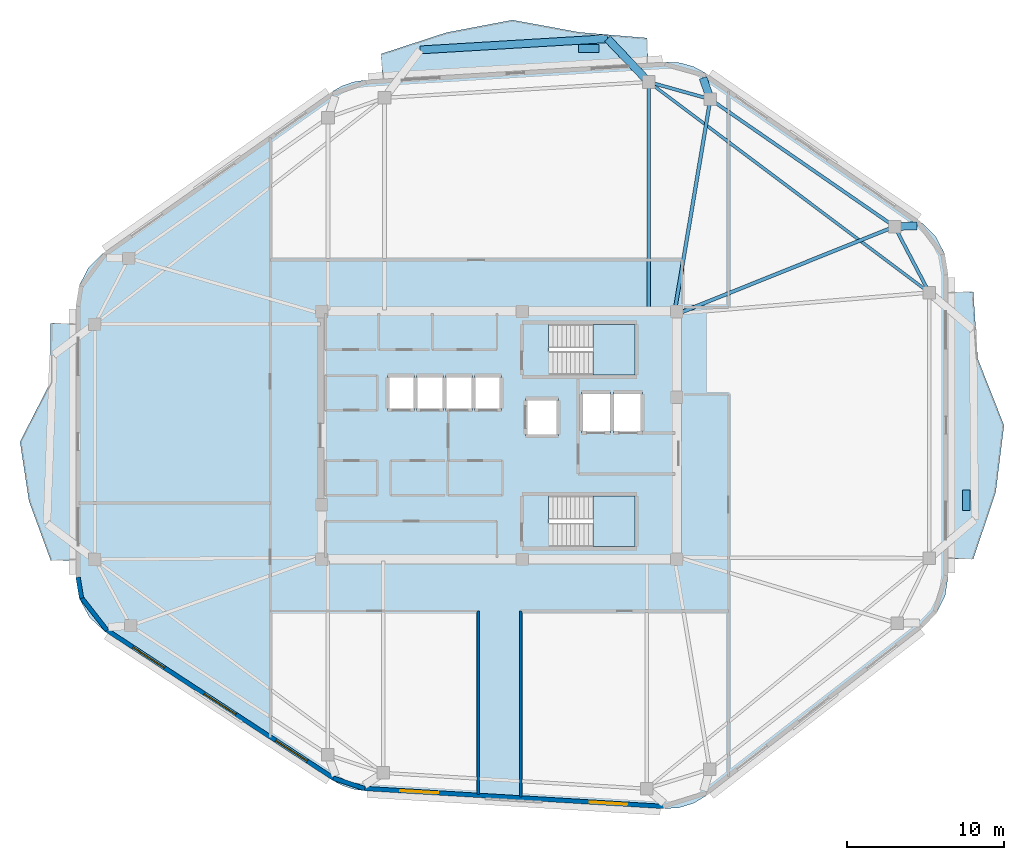
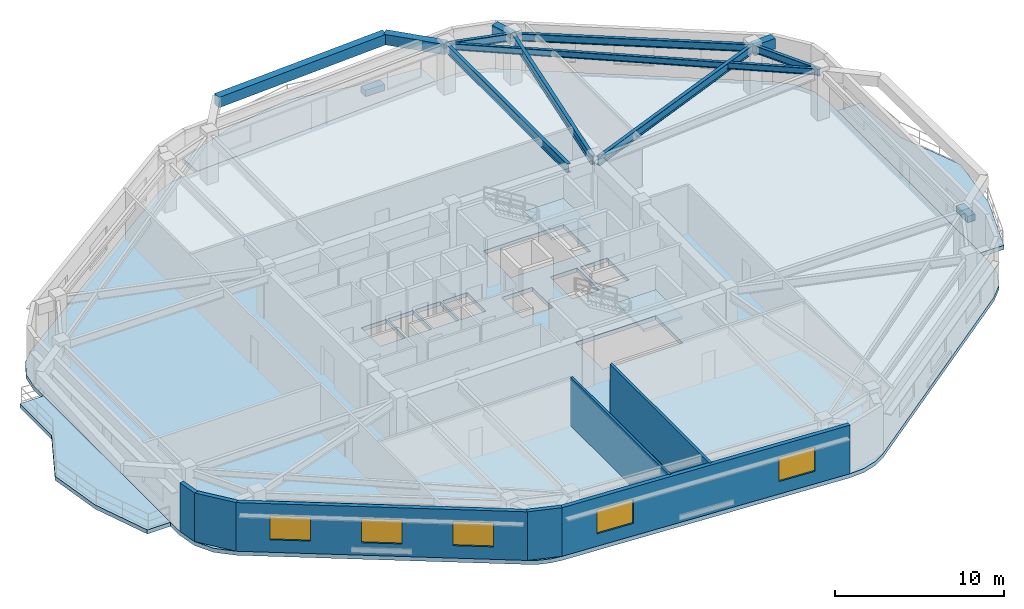
# One storey, part 2 of 9: 11 beams, 7 walls, 6 slabs, 5 windows, 2 plates, 5 openings, 2 elements without a shape of their own.
"""IFC4 building model written with IfcOpenShell, lengths in metres."""

from ifc_helpers import new_model, si_unit, direction, frame, frame_2d, origin, origin_2d, place, context, subcontext, project, spatial, polyline, rectangle, i_section, outline, extrude, material, layer, layer_set, material_profile, profile_set, type_object, element, fill, aggregate, save


model = new_model("IFC4")

# Units and contexts
model_context = context("Model", 3, precision=1e-05, world=origin(), true_north=direction((0.0, 1.0)))
body_context = subcontext(model_context, "Body", "Model", "MODEL_VIEW")
ifc_project = project(units=[si_unit("LENGTHUNIT", "METRE"), si_unit("AREAUNIT", "SQUARE_METRE"), si_unit("VOLUMEUNIT", "CUBIC_METRE"), si_unit("PLANEANGLEUNIT", "RADIAN"), si_unit("MASSUNIT", "GRAM", prefix="KILO")], contexts=[model_context])

# Site, building, storey
site_placement = place(None, origin())
site = spatial("IfcSite", under=ifc_project, at=site_placement, CompositionType="ELEMENT")
building_placement = place(site_placement, origin())
building = spatial("IfcBuilding", under=site, at=building_placement, Name="Zulverin Broadcast Headquarters", CompositionType="ELEMENT")
storey_placement = place(building_placement, frame((0.0, 0.0, 247.800048828125)))
storey = spatial("IfcBuildingStorey", under=building, at=storey_placement, Name="L63", CompositionType="ELEMENT", Elevation=247.800048828125)

# Beams
ifc_material_1 = material(Name="Concrete C40/50", Category="concrete")
ifc_material_profile_1 = material_profile(ifc_material_1, rectangle(XDim=0.5, YDim=0.75, at=origin_2d()), Name="Concrete C40/50", Category="concrete")
ifc_profile_set_1 = profile_set([ifc_material_profile_1], Name="Concrete C40/50")
beam_type_1 = type_object("IfcBeamType", Name="BM-RC-500x750", PredefinedType="BEAM", material=ifc_profile_set_1)
for number, where, z_axis, x_axis, name in (
    (1, (62.102783203125, 38.465087890625, 3.135009765625), (0.99949018153, 0.031927684309, 0.0), (-0.031927684309, 0.99949018153, 0.0), "L64 Plate Overhang Back-Spanned Beam OVR-07"),
    (2, (50.39794921875, 46.554443359375, 3.135009765625), (-0.323542873341, 0.946213511376, 0.0), (-0.946213511376, -0.323542873341, 0.0), "L64 Plate Overhang Back-Spanned Beam OVR-08"),
):
    element("IfcBeam", number, at=place(storey_placement, frame(where, z_axis=z_axis, x_axis=x_axis)), inside=storey, type_object=beam_type_1, Name=name, PredefinedType="BEAM", context=body_context, shape_type="SweptSolid", body=[
        extrude(rectangle(XDim=0.5, YDim=0.75, at=origin_2d()), origin(), (0.0, 0.0, 1.0), 1.429931640625),
    ])
beam_1_placement = place(storey_placement, frame((46.4814453125, 47.6484375, 3.135009765625), z_axis=(-0.689382393643, 0.724397622397, 0.0), x_axis=(-0.724397622397, -0.689382393643, 0.0)))
element("IfcBeam", 3, at=beam_1_placement, inside=storey, type_object=beam_type_1, Name="L64 Balcony Column-Framed Cantilever BAL_N-1", PredefinedType="BEAM", context=body_context, shape_type="SweptSolid", body=[
    extrude(rectangle(XDim=0.5, YDim=0.75, at=origin_2d()), origin(), (0.0, 0.0, 1.0), 3.800048828125),
])
beam_2_placement = place(storey_placement, frame((43.86181640625, 50.401123046875, 3.135009765625), z_axis=(-0.998203619849, -0.059912714185, 0.0), x_axis=(0.059912714185, -0.998203619849, 0.0)))
element("IfcBeam", 4, at=beam_2_placement, inside=storey, type_object=beam_type_1, Name="L64 Balcony Outer Edge Trimmer Beam BAL_N", PredefinedType="BEAM", context=body_context, shape_type="SweptSolid", body=[
    extrude(rectangle(XDim=0.5, YDim=0.75, at=origin_2d()), origin(), (0.0, 0.0, 1.0), 11.9111328125),
])
ifc_material_2 = material(Name="Structural steel S355JR", Category="steel")
ifc_material_profile_2 = material_profile(ifc_material_2, i_section(OverallWidth=0.19287109375, OverallDepth=0.46728515625, WebThickness=0.011474609375, FlangeThickness=0.01953125, at=origin_2d()), Name="Structural steel S355JR", Category="steel")
ifc_profile_set_2 = profile_set([ifc_material_profile_2], Name="Structural steel S355JR")
beam_type_2 = type_object("IfcBeamType", Name="BM-UB-457", PredefinedType="JOIST", material=ifc_profile_set_2)
beam_3_placement = place(storey_placement, frame((64.300048828125, 34.275634765625, 3.2763671875), z_axis=(-0.799809280949, 0.600254207905, 0.0), x_axis=(-0.600254207905, -0.799809280949, 0.0)))
element("IfcBeam", 5, at=beam_3_placement, inside=storey, type_object=beam_type_2, Name="L63 Chordal Floor Joist J-02", PredefinedType="JOIST", context=body_context, shape_type="SweptSolid", body=[
    extrude(i_section(OverallWidth=0.19287109375, OverallDepth=0.46728515625, WebThickness=0.011474609375, FlangeThickness=0.01953125, at=origin_2d()), origin(), (0.0, 0.0, 1.0), 22.278564453125),
])
ifc_material_profile_3 = material_profile(ifc_material_2, i_section(OverallWidth=0.2119140625, OverallDepth=0.54443359375, WebThickness=0.0126953125, FlangeThickness=0.021240234375, at=origin_2d()), Name="Structural steel S355JR", Category="steel")
ifc_profile_set_3 = profile_set([ifc_material_profile_3], Name="Structural steel S355JR")
beam_type_3 = type_object("IfcBeamType", Name="BM-UB-533", PredefinedType="SPANDREL", material=ifc_profile_set_3)
beam_4_placement = place(storey_placement, frame((64.300048828125, 34.275634765625, 3.237548828125), z_axis=(-0.464469748171, 0.885588986513, 0.0), x_axis=(-0.885588986513, -0.464469748171, 0.0)))
element("IfcBeam", 6, at=beam_4_placement, inside=storey, type_object=beam_type_3, Name="L63 Perimeter Spandrel Beam SP-06", PredefinedType="SPANDREL", context=body_context, shape_type="SweptSolid", body=[
    extrude(i_section(OverallWidth=0.2119140625, OverallDepth=0.54443359375, WebThickness=0.0126953125, FlangeThickness=0.021240234375, at=origin_2d()), origin(), (0.0, 0.0, 1.0), 4.730712890625),
])
beam_5_placement = place(storey_placement, frame((62.102783203125, 38.465087890625, 3.237548828125), z_axis=(-0.822652126292, 0.568545054597, 0.0), x_axis=(-0.568545054597, -0.822652126292, 0.0)))
element("IfcBeam", 7, at=beam_5_placement, inside=storey, type_object=beam_type_3, Name="L63 Perimeter Spandrel Beam SP-07", PredefinedType="SPANDREL", context=body_context, shape_type="SweptSolid", body=[
    extrude(i_section(OverallWidth=0.2119140625, OverallDepth=0.54443359375, WebThickness=0.0126953125, FlangeThickness=0.021240234375, at=origin_2d()), origin(), (0.0, 0.0, 1.0), 14.228271484375),
])
beam_6_placement = place(storey_placement, frame((50.39794921875, 46.554443359375, 3.237548828125), z_axis=(-0.963131566005, 0.26903082828, 0.0), x_axis=(-0.26903082828, -0.963131566005, 0.0)))
element("IfcBeam", 8, at=beam_6_placement, inside=storey, type_object=beam_type_3, Name="L63 Perimeter Spandrel Beam SP-08", PredefinedType="SPANDREL", context=body_context, shape_type="SweptSolid", body=[
    extrude(i_section(OverallWidth=0.2119140625, OverallDepth=0.54443359375, WebThickness=0.0126953125, FlangeThickness=0.021240234375, at=origin_2d()), origin(), (0.0, 0.0, 1.0), 4.06640625),
])
ifc_material_profile_4 = material_profile(ifc_material_2, i_section(OverallWidth=0.230224609375, OverallDepth=0.6171875, WebThickness=0.01318359375, FlangeThickness=0.022216796875, at=origin_2d()), Name="Structural steel S355JR", Category="steel")
ifc_profile_set_4 = profile_set([ifc_material_profile_4], Name="Structural steel S355JR")
beam_type_4 = type_object("IfcBeamType", Name="BM-UB-610", PredefinedType="BEAM", material=ifc_profile_set_4)
beam_7_placement = place(storey_placement, frame((48.375, 32.949951171875, 3.201416015625), z_axis=(0.927915690744, 0.37279011638, 0.0), x_axis=(-0.37279011638, 0.927915690744, 0.0)))
element("IfcBeam", 9, at=beam_7_placement, inside=storey, type_object=beam_type_4, Name="L63 Radial Primary Floor Beam RB-07", PredefinedType="BEAM", context=body_context, shape_type="SweptSolid", body=[
    extrude(i_section(OverallWidth=0.230224609375, OverallDepth=0.6171875, WebThickness=0.01318359375, FlangeThickness=0.022216796875, at=origin_2d()), origin(), (0.0, 0.0, 1.0), 14.794189453125),
])
beam_8_placement = place(storey_placement, frame((48.14990234375, 33.175048828125, 3.201416015625), z_axis=(0.165700339104, 0.986176149388, 0.0), x_axis=(-0.986176149388, 0.165700339104, 0.0)))
element("IfcBeam", 10, at=beam_8_placement, inside=storey, type_object=beam_type_4, Name="L63 Radial Primary Floor Beam RB-08", PredefinedType="BEAM", context=body_context, shape_type="SweptSolid", body=[
    extrude(i_section(OverallWidth=0.230224609375, OverallDepth=0.6171875, WebThickness=0.01318359375, FlangeThickness=0.022216796875, at=origin_2d()), origin(), (0.0, 0.0, 1.0), 13.56689453125),
])
beam_9_placement = place(storey_placement, frame((46.4814453125, 33.175048828125, 3.201416015625), z_axis=(0.0, 1.0, 0.0), x_axis=(-1.0, 0.0, 0.0)))
element("IfcBeam", 11, at=beam_9_placement, inside=storey, type_object=beam_type_4, Name="L63 Radial Primary Floor Beam RB-09", PredefinedType="BEAM", context=body_context, shape_type="SweptSolid", body=[
    extrude(i_section(OverallWidth=0.230224609375, OverallDepth=0.6171875, WebThickness=0.01318359375, FlangeThickness=0.022216796875, at=origin_2d()), origin(), (0.0, 0.0, 1.0), 14.473388671875),
])

# Plates
ifc_material_3 = material(Name="Precast concrete C45/55", Category="concrete")
ifc_layer_1 = layer(ifc_material_3, 0.449951171875, Name="Precast concrete C45/55", Category="concrete")
ifc_layer_set_1 = layer_set([ifc_layer_1], Name="Precast concrete C45/55")
plate_type = type_object("IfcPlateType", Name="PT-01_PRECAST_GFRC_TREE_PLANTER", PredefinedType="USERDEFINED", material=ifc_layer_set_1)
for number, where, z_axis, x_axis, name in (
    (12, (66.64990234375, 21.0908203125, -0.0048828125), (0.0, 0.0, 1.0), (0.0, 1.0, 0.0), "L63 Precast GFRC Tree Planter BAL_E"),
    (13, (42.6767578125, 49.7744140625, -0.0048828125), (0.0, 0.0, 1.0), (1.0, 0.0, 0.0), "L63 Precast GFRC Tree Planter BAL_N"),
):
    element("IfcPlate", number, at=place(storey_placement, frame(where, z_axis=z_axis, x_axis=x_axis)), inside=storey, type_object=plate_type, Name=name, ObjectType="PLANTER", PredefinedType="USERDEFINED", context=body_context, shape_type="SweptSolid", body=[
        extrude(rectangle(XDim=1.300048828125, YDim=0.5, at=origin_2d()), origin(), (0.0, 0.0, 1.0), 0.449951171875),
    ])

# Slabs
ifc_layer_2 = layer(ifc_material_1, 0.2900390625, Name="Concrete C40/50", Category="concrete")
ifc_layer_set_2 = layer_set([ifc_layer_2], Name="Concrete C40/50")
slab_type_1 = type_object("IfcSlabType", Name="SLB-BAL-290", PredefinedType="FLOOR", material=ifc_layer_set_2)
slab_1_placement = place(storey_placement, frame((0.0, 0.0, -0.2900390625)))
element("IfcSlab", 14, at=slab_1_placement, inside=storey, type_object=slab_type_1, Name="L63 Cantilevered Planted Balcony Slab BAL_E", PredefinedType="FLOOR", context=body_context, shape_type="SweptSolid", body=[
    extrude(outline(polyline([(65.5, 34.32568359375), (65.5, 17.357666015625), (67.10009765625, 17.357666015625), (68.52392578125, 21.599609375), (69.050048828125, 25.841796875), (67.37744140625, 30.083740234375), (67.10009765625, 34.32568359375), (65.5, 34.32568359375)])), origin(), (0.0, 0.0, 1.0), 0.2900390625),
])
slab_2_placement = place(storey_placement, frame((0.0, 0.0, -0.2900390625)))
element("IfcSlab", 15, at=slab_2_placement, inside=storey, type_object=slab_type_1, Name="L63 Cantilevered Planted Balcony Slab BAL_N", PredefinedType="FLOOR", context=body_context, shape_type="SweptSolid", body=[
    extrude(outline(polyline([(29.5791015625, 47.835693359375), (46.45947265625, 48.849365234375), (46.363525390625, 50.4462890625), (42.106689453125, 50.804443359375), (37.824462890625, 51.58740234375), (33.636962890625, 50.789794921875), (29.483154296875, 49.43310546875), (29.5791015625, 47.835693359375)])), origin(), (0.0, 0.0, 1.0), 0.2900390625),
])
slab_3_placement = place(storey_placement, frame((0.0, 0.0, -0.2900390625)))
element("IfcSlab", 16, at=slab_3_placement, inside=storey, type_object=slab_type_1, Name="L63 Cantilevered Planted Balcony Slab BAL_W", PredefinedType="FLOOR", context=body_context, shape_type="SweptSolid", body=[
    extrude(outline(polyline([(10.10009765625, 17.2685546875), (10.10009765625, 32.3251953125), (8.5, 32.3251953125), (8.48193359375, 28.56103515625), (6.550048828125, 24.797119140625), (7.119384765625, 21.03271484375), (8.5, 17.2685546875), (10.10009765625, 17.2685546875)])), origin(), (0.0, 0.0, 1.0), 0.2900390625),
])

# Stair, slab
stair_type = type_object("IfcStairType", Name="ST-CORE-1500", PredefinedType="HALF_TURN_STAIR", material=ifc_material_1)
stair_1_placement = place(storey_placement, origin())
stair_1 = element("IfcStair", 17, at=stair_1_placement, inside=storey, type_object=stair_type, Name="L63 Core Exit Stair ST-1", PredefinedType="HALF_TURN_STAIR")
ifc_layer_3 = layer(ifc_material_1, 0.199951171875, Name="Concrete C40/50", Category="concrete")
ifc_layer_set_3 = layer_set([ifc_layer_3], Name="Concrete C40/50")
slab_type_2 = type_object("IfcSlabType", Name="SLB-ST-LND200", PredefinedType="LANDING", material=ifc_layer_set_3)
slab_4_placement = place(storey_placement, frame((0.0, 0.0, 1.699951171875)))
slab_4 = element("IfcSlab", 18, at=slab_4_placement, type_object=slab_type_2, Name="ST-1 landing 1", PredefinedType="LANDING", context=body_context, shape_type="SweptSolid", body=[
    extrude(outline(polyline([(42.929931640625, 29.050048828125), (45.60009765625, 29.050048828125), (45.60009765625, 32.25), (42.929931640625, 32.25), (42.929931640625, 29.050048828125)])), origin(), (0.0, 0.0, 1.0), 0.199951171875),
])
aggregate(stair_1, [slab_4])

stair_2_placement = place(storey_placement, origin())
stair_2 = element("IfcStair", 19, at=stair_2_placement, inside=storey, type_object=stair_type, Name="L63 Core Exit Stair ST-2", PredefinedType="HALF_TURN_STAIR")
slab_5_placement = place(storey_placement, frame((0.0, 0.0, 1.699951171875)))
slab_5 = element("IfcSlab", 20, at=slab_5_placement, type_object=slab_type_2, Name="ST-2 landing 1", PredefinedType="LANDING", context=body_context, shape_type="SweptSolid", body=[
    extrude(outline(polyline([(42.929931640625, 18.14990234375), (45.60009765625, 18.14990234375), (45.60009765625, 21.35009765625), (42.929931640625, 21.35009765625), (42.929931640625, 18.14990234375)])), origin(), (0.0, 0.0, 1.0), 0.199951171875),
])
aggregate(stair_2, [slab_5])

# Slab
ifc_layer_4 = layer(ifc_material_1, 0.2900390625, Name="Concrete C40/50", Category="concrete")
ifc_layer_set_4 = layer_set([ifc_layer_4], Name="Concrete C40/50")
slab_type_3 = type_object("IfcSlabType", Name="SLB-TWR-290", PredefinedType="FLOOR", material=ifc_layer_set_4)
slab_6_placement = place(storey_placement, frame((0.0, 0.0, -0.2900390625)))
element("IfcSlab", 21, at=slab_6_placement, inside=storey, type_object=slab_type_3, Name="L63 Main Structural Floor Slab", PredefinedType="FLOOR", context=body_context, shape_type="SweptSolid", body=[
    extrude(outline(polyline([(26.405029296875, 3.295166015625), (27.029296875, 2.96044921875), (27.70166015625, 2.738037109375), (28.402099609375, 2.634765625), (47.427490234375, 1.49267578125), (48.40869140625, 1.5517578125), (49.347412109375, 1.842529296875), (50.18994140625, 2.348388671875), (63.91650390625, 13.02099609375), (64.7685546875, 13.92041015625), (65.312744140625, 15.033203125), (65.5, 16.2578125), (65.5, 35.42578125), (65.289306640625, 36.723388671875), (64.6787109375, 37.887451171875), (63.73095703125, 38.798583984375), (50.13427734375, 48.1953125), (49.3359375, 48.625244140625), (48.462890625, 48.869140625), (47.557373046875, 48.915283203125), (28.48095703125, 47.77001953125), (27.73291015625, 47.655029296875), (27.0185546875, 47.404541015625), (26.362548828125, 47.027099609375), (11.8359375, 36.775146484375), (10.9052734375, 35.865478515625), (10.306396484375, 34.710205078125), (10.10009765625, 33.42529296875), (10.10009765625, 16.168701171875), (10.322021484375, 14.83740234375), (10.96435546875, 13.650390625), (11.957275390625, 12.736328125), (26.405029296875, 3.295166015625)]), holes=[polyline([(40.155029296875, 30.75), (40.130126953125, 30.75), (40.130126953125, 32.25), (45.60009765625, 32.25), (45.60009765625, 29.050048828125), (40.155029296875, 29.050048828125), (40.155029296875, 30.75)]), polyline([(40.155029296875, 19.85009765625), (40.130126953125, 19.85009765625), (40.130126953125, 21.35009765625), (45.60009765625, 21.35009765625), (45.60009765625, 18.14990234375), (40.155029296875, 18.14990234375), (40.155029296875, 19.85009765625)]), polyline([(29.89990234375, 26.800048828125), (31.6201171875, 26.800048828125), (31.6201171875, 29.0), (29.89990234375, 29.0), (29.89990234375, 26.800048828125)]), polyline([(31.739990234375, 26.800048828125), (33.4599609375, 26.800048828125), (33.4599609375, 29.0), (31.739990234375, 29.0), (31.739990234375, 26.800048828125)]), polyline([(33.580078125, 26.800048828125), (35.300048828125, 26.800048828125), (35.300048828125, 29.0), (33.580078125, 29.0), (33.580078125, 26.800048828125)]), polyline([(35.419921875, 26.800048828125), (37.139892578125, 26.800048828125), (37.139892578125, 29.0), (35.419921875, 29.0), (35.419921875, 26.800048828125)]), polyline([(42.199951171875, 25.35009765625), (44.050048828125, 25.35009765625), (44.050048828125, 27.949951171875), (42.199951171875, 27.949951171875), (42.199951171875, 25.35009765625)]), polyline([(44.25, 25.35009765625), (46.10009765625, 25.35009765625), (46.10009765625, 27.949951171875), (44.25, 27.949951171875), (44.25, 25.35009765625)]), polyline([(38.64990234375, 25.14990234375), (40.75, 25.14990234375), (40.75, 27.550048828125), (38.64990234375, 27.550048828125), (38.64990234375, 25.14990234375)])]), origin(), (0.0, 0.0, 1.0), 0.2900390625),
])

# Wall, openings, windows
ifc_material_4 = material(Name="Insulated pale-metal clad concrete spandrel C40/50", Category="concrete")
ifc_layer_5 = layer(ifc_material_4, 0.280029296875, Name="Insulated pale-metal clad concrete spandrel C40/50", Category="concrete")
ifc_layer_set_5 = layer_set([ifc_layer_5], Name="Insulated pale-metal clad concrete spandrel C40/50")
wall_type_1 = type_object("IfcWallType", Name="WL-EXT-280", PredefinedType="STANDARD", material=ifc_layer_set_5)
wall_1_placement = place(storey_placement, frame((28.41064453125, 2.7744140625, 0.0), z_axis=(0.0, 0.0, 1.0), x_axis=(0.998203068368, -0.059921901676, 0.0)))
wall_1 = element("IfcWall", 22, at=wall_1_placement, inside=storey, type_object=wall_type_1, Name="L63 Pale-Metal Clad Spandrel Wall 1", PredefinedType="STANDARD", context=body_context, shape_type="SweptSolid", body=[
    extrude(rectangle(XDim=19.0595703125, YDim=0.280029296875, at=frame_2d((9.52978515625, 0.0))), origin(), (0.0, 0.0, 1.0), 3.510009765625),
])
opening_1_placement = place(wall_1_placement, frame((2.309814453125, 0.0, 0.89990234375)))
opening_1 = element("IfcOpeningElement", 23, at=opening_1_placement, cuts=wall_1, Name="Opening W-L63-E11", PredefinedType="OPENING", context=body_context, shape_type="SweptSolid", body=[
    extrude(rectangle(XDim=2.39990234375, YDim=1.75, at=frame_2d((1.199951171875, 0.875))), frame((0.0, 0.14990234375, 0.0), z_axis=(0.0, -1.0, 0.0), x_axis=(1.0, 0.0, 0.0)), (0.0, 0.0, 1.0), 0.300048828125),
])
opening_2_placement = place(wall_1_placement, frame((14.349609375, 0.0, 0.89990234375)))
opening_2 = element("IfcOpeningElement", 24, at=opening_2_placement, cuts=wall_1, Name="Opening W-L63-E12", PredefinedType="OPENING", context=body_context, shape_type="SweptSolid", body=[
    extrude(rectangle(XDim=2.39990234375, YDim=1.75, at=frame_2d((1.199951171875, 0.875))), frame((0.0, 0.14990234375, 0.0), z_axis=(0.0, -1.0, 0.0), x_axis=(1.0, 0.0, 0.0)), (0.0, 0.0, 1.0), 0.300048828125),
])
ifc_material_5 = material(Name="Pale anodized aluminium frame with solar-control low-E double glazing", Category="aluminium")
window_type = type_object("IfcWindowType", Name="WIN-RIB-2400", PartitioningType="SINGLE_PANEL", PredefinedType="WINDOW", material=ifc_material_5)
window_1_placement = place(opening_1_placement, origin())
window_1 = element("IfcWindow", 25, at=window_1_placement, inside=storey, type_object=window_type, Name="L63 Ribbon Glazing Window 1 1", OverallHeight=1.75, OverallWidth=2.39990234375, PartitioningType="SINGLE_PANEL", PredefinedType="WINDOW", context=body_context, shape_type="SweptSolid", body=[
    extrude(rectangle(XDim=2.39990234375, YDim=1.75, at=frame_2d((1.199951171875, 0.875))), frame((0.0, 0.030029296875, 0.0), z_axis=(0.0, -1.0, 0.0), x_axis=(1.0, 0.0, 0.0)), (0.0, 0.0, 1.0), 0.06005859375),
])
fill(opening_1, window_1)
window_2_placement = place(opening_2_placement, origin())
window_2 = element("IfcWindow", 26, at=window_2_placement, inside=storey, type_object=window_type, Name="L63 Ribbon Glazing Window 1 2", OverallHeight=1.75, OverallWidth=2.39990234375, PartitioningType="SINGLE_PANEL", PredefinedType="WINDOW", context=body_context, shape_type="SweptSolid", body=[
    extrude(rectangle(XDim=2.39990234375, YDim=1.75, at=frame_2d((1.199951171875, 0.875))), frame((0.0, 0.030029296875, 0.0), z_axis=(0.0, -1.0, 0.0), x_axis=(1.0, 0.0, 0.0)), (0.0, 0.0, 1.0), 0.06005859375),
])
fill(opening_2, window_2)

wall_2_placement = place(storey_placement, frame((12.03369140625, 12.853515625, 0.0), z_axis=(0.0, 0.0, 1.0), x_axis=(0.837118352984, -0.547021812269, 0.0)))
wall_2 = element("IfcWall", 27, at=wall_2_placement, inside=storey, type_object=wall_type_1, Name="L63 Pale-Metal Clad Spandrel Wall 8", PredefinedType="STANDARD", context=body_context, shape_type="SweptSolid", body=[
    extrude(rectangle(XDim=17.25927734375, YDim=0.280029296875, at=frame_2d((8.629638671875, 0.0))), origin(), (0.0, 0.0, 1.0), 3.510009765625),
])
opening_3_placement = place(wall_2_placement, frame((2.010009765625, 0.0, 0.89990234375)))
opening_3 = element("IfcOpeningElement", 28, at=opening_3_placement, cuts=wall_2, Name="Opening W-L63-E81", PredefinedType="OPENING", context=body_context, shape_type="SweptSolid", body=[
    extrude(rectangle(XDim=2.39990234375, YDim=1.75, at=frame_2d((1.199951171875, 0.875))), frame((0.0, 0.14990234375, 0.0), z_axis=(0.0, -1.0, 0.0), x_axis=(1.0, 0.0, 0.0)), (0.0, 0.0, 1.0), 0.300048828125),
])
opening_4_placement = place(wall_2_placement, frame((7.4296875, 0.0, 0.89990234375)))
opening_4 = element("IfcOpeningElement", 29, at=opening_4_placement, cuts=wall_2, Name="Opening W-L63-E82", PredefinedType="OPENING", context=body_context, shape_type="SweptSolid", body=[
    extrude(rectangle(XDim=2.39990234375, YDim=1.75, at=frame_2d((1.199951171875, 0.875))), frame((0.0, 0.14990234375, 0.0), z_axis=(0.0, -1.0, 0.0), x_axis=(1.0, 0.0, 0.0)), (0.0, 0.0, 1.0), 0.300048828125),
])
opening_5_placement = place(wall_2_placement, frame((12.849365234375, 0.0, 0.89990234375)))
opening_5 = element("IfcOpeningElement", 30, at=opening_5_placement, cuts=wall_2, Name="Opening W-L63-E83", PredefinedType="OPENING", context=body_context, shape_type="SweptSolid", body=[
    extrude(rectangle(XDim=2.39990234375, YDim=1.75, at=frame_2d((1.199951171875, 0.875))), frame((0.0, 0.14990234375, 0.0), z_axis=(0.0, -1.0, 0.0), x_axis=(1.0, 0.0, 0.0)), (0.0, 0.0, 1.0), 0.300048828125),
])
window_3_placement = place(opening_3_placement, origin())
window_3 = element("IfcWindow", 31, at=window_3_placement, inside=storey, type_object=window_type, Name="L63 Ribbon Glazing Window 8 1", OverallHeight=1.75, OverallWidth=2.39990234375, PartitioningType="SINGLE_PANEL", PredefinedType="WINDOW", context=body_context, shape_type="SweptSolid", body=[
    extrude(rectangle(XDim=2.39990234375, YDim=1.75, at=frame_2d((1.199951171875, 0.875))), frame((0.0, 0.030029296875, 0.0), z_axis=(0.0, -1.0, 0.0), x_axis=(1.0, 0.0, 0.0)), (0.0, 0.0, 1.0), 0.06005859375),
])
fill(opening_3, window_3)
window_4_placement = place(opening_4_placement, origin())
window_4 = element("IfcWindow", 32, at=window_4_placement, inside=storey, type_object=window_type, Name="L63 Ribbon Glazing Window 8 2", OverallHeight=1.75, OverallWidth=2.39990234375, PartitioningType="SINGLE_PANEL", PredefinedType="WINDOW", context=body_context, shape_type="SweptSolid", body=[
    extrude(rectangle(XDim=2.39990234375, YDim=1.75, at=frame_2d((1.199951171875, 0.875))), frame((0.0, 0.030029296875, 0.0), z_axis=(0.0, -1.0, 0.0), x_axis=(1.0, 0.0, 0.0)), (0.0, 0.0, 1.0), 0.06005859375),
])
fill(opening_4, window_4)
window_5_placement = place(opening_5_placement, origin())
window_5 = element("IfcWindow", 33, at=window_5_placement, inside=storey, type_object=window_type, Name="L63 Ribbon Glazing Window 8 3", OverallHeight=1.75, OverallWidth=2.39990234375, PartitioningType="SINGLE_PANEL", PredefinedType="WINDOW", context=body_context, shape_type="SweptSolid", body=[
    extrude(rectangle(XDim=2.39990234375, YDim=1.75, at=frame_2d((1.199951171875, 0.875))), frame((0.0, 0.030029296875, 0.0), z_axis=(0.0, -1.0, 0.0), x_axis=(1.0, 0.0, 0.0)), (0.0, 0.0, 1.0), 0.06005859375),
])
fill(opening_5, window_5)

# Walls
wall_3_placement = place(storey_placement, frame((10.238037109375, 16.191650390625, 0.0), z_axis=(0.0, 0.0, 1.0), x_axis=(0.164604311367, -0.986359681191, 0.0)))
element("IfcWall", 34, at=wall_3_placement, inside=storey, type_object=wall_type_1, Name="L63 Wind-Shaped Corner Spandrel Wall 7-1", PredefinedType="STANDARD", context=body_context, shape_type="SweptSolid", body=[
    extrude(rectangle(XDim=1.349609375, YDim=0.280029296875, at=frame_2d((0.6748046875, 0.0))), origin(), (0.0, 0.0, 1.0), 3.510009765625),
])
wall_4_placement = place(storey_placement, frame((10.4326171875, 14.92333984375, 0.0), z_axis=(0.0, 0.0, 1.0), x_axis=(0.614181852676, -0.78916452774, 0.0)))
element("IfcWall", 35, at=wall_4_placement, inside=storey, type_object=wall_type_1, Name="L63 Wind-Shaped Corner Spandrel Wall 7-2", PredefinedType="STANDARD", context=body_context, shape_type="SweptSolid", body=[
    extrude(rectangle(XDim=2.662109375, YDim=0.280029296875, at=frame_2d((1.3310546875, 0.0))), origin(), (0.0, 0.0, 1.0), 3.510009765625),
])
wall_5_placement = place(storey_placement, frame((26.44921875, 3.427978515625, 0.0), z_axis=(0.0, 0.0, 1.0), x_axis=(0.949435039229, -0.313963542923, 0.0)))
element("IfcWall", 36, at=wall_5_placement, inside=storey, type_object=wall_type_1, Name="L63 Wind-Shaped Corner Spandrel Wall 8-1", PredefinedType="STANDARD", context=body_context, shape_type="SweptSolid", body=[
    extrude(rectangle(XDim=2.103515625, YDim=0.280029296875, at=frame_2d((1.0517578125, 0.0))), origin(), (0.0, 0.0, 1.0), 3.510009765625),
])
ifc_material_6 = material(Name="Fire-rated gypsum stud partition", Category="gypsum")
ifc_layer_6 = layer(ifc_material_6, 0.14990234375, Name="Fire-rated gypsum stud partition", Category="gypsum")
ifc_layer_set_6 = layer_set([ifc_layer_6], Name="Fire-rated gypsum stud partition")
wall_type_2 = type_object("IfcWallType", Name="WL-PART-150", PredefinedType="PARTITIONING", material=ifc_layer_set_6)
wall_6_placement = place(storey_placement, frame((35.64990234375, 2.40478515625, 0.0), z_axis=(0.0, 0.0, 1.0), x_axis=(0.0, 1.0, 0.0)))
element("IfcWall", 37, at=wall_6_placement, inside=storey, type_object=wall_type_2, Name="L63 Gallery Partition Wall CG-05", PredefinedType="PARTITIONING", context=body_context, shape_type="SweptSolid", body=[
    extrude(rectangle(XDim=11.645263671875, YDim=0.14990234375, at=frame_2d((5.82275390625, 0.0))), origin(), (0.0, 0.0, 1.0), 3.510009765625),
])
ifc_material_7 = material(Name="Fire-rated acoustic stud wall", Category="gypsum")
ifc_layer_7 = layer(ifc_material_7, 0.175048828125, Name="Fire-rated acoustic stud wall", Category="gypsum")
ifc_layer_set_7 = layer_set([ifc_layer_7], Name="Fire-rated acoustic stud wall")
wall_type_3 = type_object("IfcWallType", Name="WL-PART-175", PredefinedType="PARTITIONING", material=ifc_layer_set_7)
wall_7_placement = place(storey_placement, frame((38.35009765625, 2.24267578125, 0.0), z_axis=(0.0, 0.0, 1.0), x_axis=(0.0, 1.0, 0.0)))
element("IfcWall", 38, at=wall_7_placement, inside=storey, type_object=wall_type_3, Name="L63 Gallery Partition Wall CG-04", PredefinedType="PARTITIONING", context=body_context, shape_type="SweptSolid", body=[
    extrude(rectangle(XDim=11.807373046875, YDim=0.175048828125, at=frame_2d((5.90380859375, 0.0))), origin(), (0.0, 0.0, 1.0), 3.510009765625),
])

save(model, "model.ifc")
